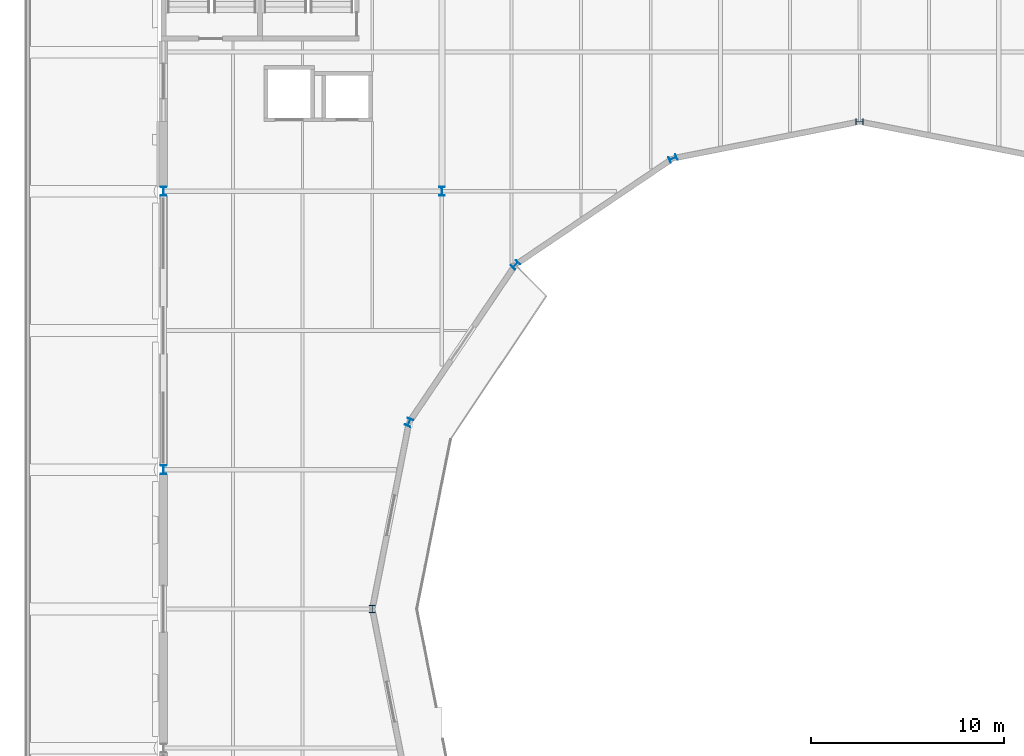
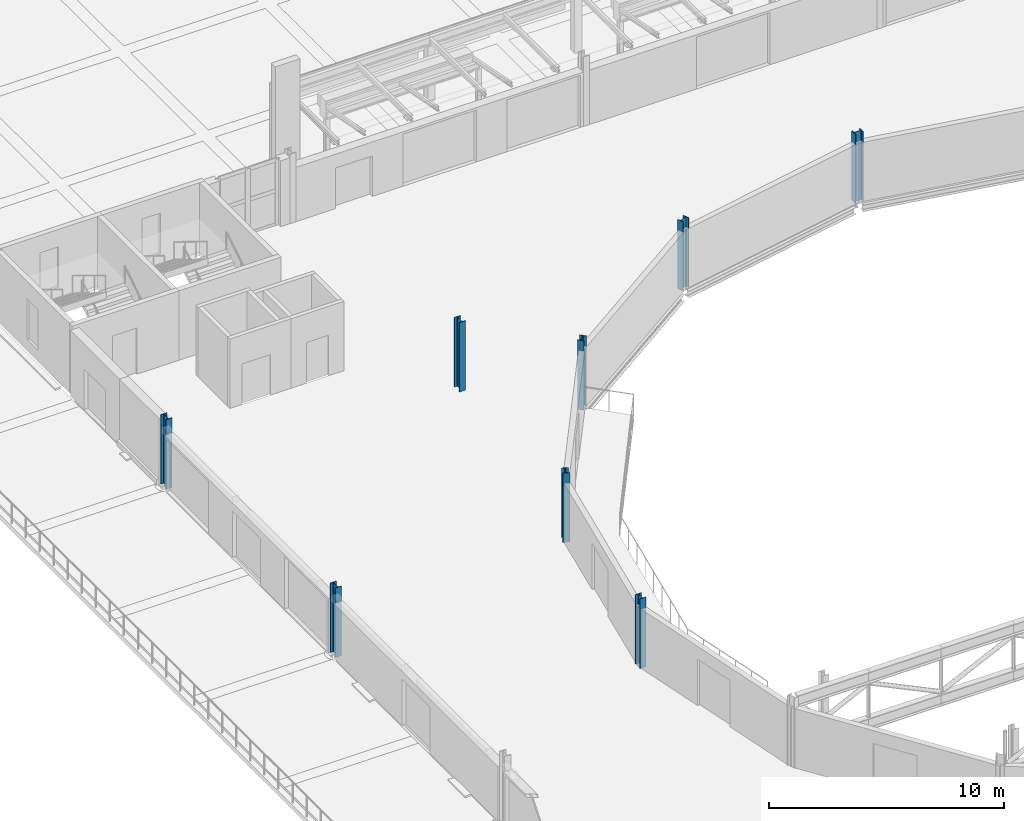
# One storey, part 7 of 143: 8 columns.
"""IFC4 building model written with IfcOpenShell, lengths in metres."""

from ifc_helpers import new_model, si_unit, direction, frame, origin, origin_2d, place, context, subcontext, project, spatial, i_section, extrude, material, material_profile, profile_set, type_object, element, save


model = new_model("IFC4")

# Units and contexts
model_context = context("Model", 3, precision=1e-05, world=origin(), true_north=direction((0.0, 1.0)))
body_context = subcontext(model_context, "Body", "Model", "MODEL_VIEW")
ifc_project = project(units=[si_unit("LENGTHUNIT", "METRE"), si_unit("AREAUNIT", "SQUARE_METRE"), si_unit("VOLUMEUNIT", "CUBIC_METRE"), si_unit("PLANEANGLEUNIT", "RADIAN"), si_unit("MASSUNIT", "GRAM", prefix="KILO")], contexts=[model_context])

# Site, building, storey
site_placement = place(None, origin())
site = spatial("IfcSite", under=ifc_project, at=site_placement, CompositionType="ELEMENT")
building_placement = place(site_placement, origin())
building = spatial("IfcBuilding", under=site, at=building_placement, Name="Kupolbacken Congress Centre", CompositionType="ELEMENT")
storey_placement = place(building_placement, frame((0.0, 0.0, 7.199951171875)))
storey = spatial("IfcBuildingStorey", under=building, at=storey_placement, Name="L02", CompositionType="ELEMENT", Elevation=7.199951171875)

# Columns
ifc_material_1 = material(Name="Steel S355", Category="steel")
ifc_material_profile_1 = material_profile(ifc_material_1, i_section(OverallWidth=0.300048828125, OverallDepth=0.449951171875, WebThickness=0.013916015625, FlangeThickness=0.02587890625, FilletRadius=0.027099609375, at=origin_2d()), Name="HEB 450")
ifc_profile_set_1 = profile_set([ifc_material_profile_1], Name="Steel S355")
column_type_1 = type_object("IfcColumnType", Name="C03 column HEB 450", PredefinedType="COLUMN", material=ifc_profile_set_1)
for number, where, z_axis, x_axis, name in (
    (1, (7.199951171875, 93.60009765625, 0.0), (0.0, 0.0, 1.0), (1.0, 0.0, 0.0), "S/col/C-P-2P/L02"),
    (2, (7.199951171875, 108.0, 0.0), (0.0, 0.0, 1.0), (1.0, 0.0, 0.0), "S/col/C-P-2R/L02"),
    (3, (21.60009765625, 108.0, 0.0), (0.0, 0.0, 1.0), (1.0, 0.0, 0.0), "S/col/C-P-4R/L02"),
):
    element("IfcColumn", number, at=place(storey_placement, frame(where, z_axis=z_axis, x_axis=x_axis)), inside=storey, type_object=column_type_1, Name=name, PredefinedType="COLUMN", context=body_context, shape_type="SweptSolid", body=[
        extrude(i_section(OverallWidth=0.300048828125, OverallDepth=0.449951171875, WebThickness=0.013916015625, FlangeThickness=0.02587890625, FilletRadius=0.027099609375, at=origin_2d()), origin(), (0.0, 0.0, 1.0), 3.60009765625),
    ])
ifc_material_2 = material(Name="Steel S355", Category="steel")
ifc_material_profile_2 = material_profile(ifc_material_2, i_section(OverallWidth=0.300048828125, OverallDepth=0.39990234375, WebThickness=0.013427734375, FlangeThickness=0.02392578125, FilletRadius=0.027099609375, at=origin_2d()), Name="HEB 400")
ifc_profile_set_2 = profile_set([ifc_material_profile_2], Name="Steel S355")
column_type_2 = type_object("IfcColumnType", Name="C08 column HEB 400", PredefinedType="COLUMN", material=ifc_profile_set_2)
for number, where, z_axis, x_axis, name in (
    (4, (43.199951171875, 111.60009765625, 0.0), (0.0, 0.0, 1.0), (0.0, 1.0, 0.0), "S/col/C-D05/L02"),
    (5, (33.550048828125, 109.699951171875, 0.0), (0.0, 0.0, 1.0), (-0.382643629864, 0.923896018243, 0.0), "S/col/C-D06/L02"),
    (6, (25.39990234375, 104.199951171875, 0.0), (0.0, 0.0, 1.0), (-0.707106781187, 0.707106781187, 0.0), "S/col/C-D07/L02"),
    (7, (19.89990234375, 96.050048828125, 0.0), (0.0, 0.0, 1.0), (-0.923896018243, 0.382643629864, 0.0), "S/col/C-D08/L02"),
    (8, (18.0, 86.39990234375, 0.0), (0.0, 0.0, 1.0), (-1.0, 0.0, 0.0), "S/col/C-D09/L02"),
):
    element("IfcColumn", number, at=place(storey_placement, frame(where, z_axis=z_axis, x_axis=x_axis)), inside=storey, type_object=column_type_2, Name=name, PredefinedType="COLUMN", context=body_context, shape_type="SweptSolid", body=[
        extrude(i_section(OverallWidth=0.300048828125, OverallDepth=0.39990234375, WebThickness=0.013427734375, FlangeThickness=0.02392578125, FilletRadius=0.027099609375, at=origin_2d()), origin(), (0.0, 0.0, 1.0), 3.60009765625),
    ])

save(model, "model.ifc")
